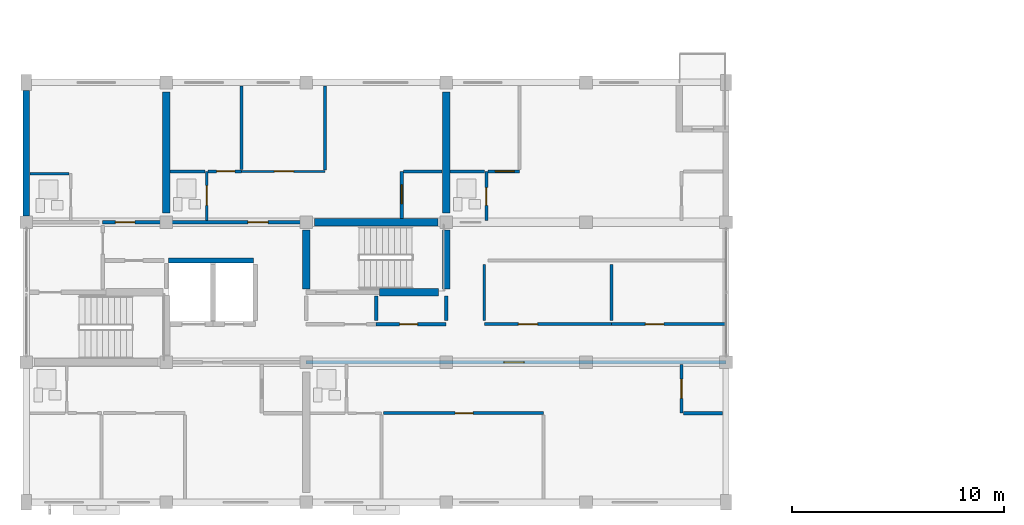
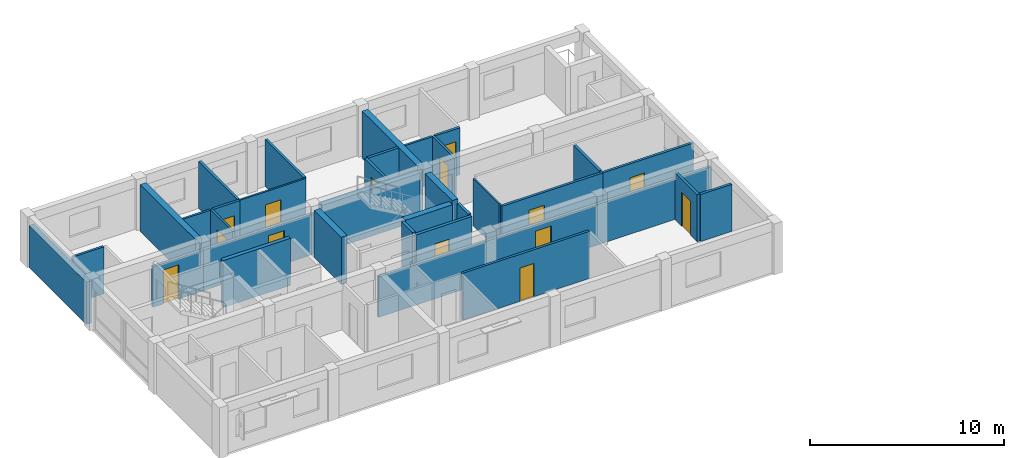
# One storey, part 34 of 52: 33 walls, 14 doors, 14 openings.
"""IFC4 building model written with IfcOpenShell, lengths in metres."""

from ifc_helpers import new_model, si_unit, direction, frame, frame_2d, origin, place, context, subcontext, project, spatial, rectangle, extrude, material, layer, layer_set, type_object, element, fill, save


model = new_model("IFC4")

# Units and contexts
model_context = context("Model", 3, precision=1e-05, world=origin(), true_north=direction((0.0, 1.0)))
body_context = subcontext(model_context, "Body", "Model", "MODEL_VIEW")
ifc_project = project(units=[si_unit("LENGTHUNIT", "METRE"), si_unit("AREAUNIT", "SQUARE_METRE"), si_unit("VOLUMEUNIT", "CUBIC_METRE"), si_unit("PLANEANGLEUNIT", "RADIAN"), si_unit("MASSUNIT", "GRAM", prefix="KILO")], contexts=[model_context])

# Site, building, storey
site_placement = place(None, origin())
site = spatial("IfcSite", under=ifc_project, at=site_placement, CompositionType="ELEMENT")
building_placement = place(site_placement, origin())
building = spatial("IfcBuilding", under=site, at=building_placement, Name="Kernevlak Ridge Housing Community", CompositionType="ELEMENT")
storey_placement = place(building_placement, frame((0.0, 0.0, 11.60009765625)))
storey = spatial("IfcBuildingStorey", under=building, at=storey_placement, Name="L03", CompositionType="ELEMENT", Elevation=11.60009765625)

# Walls
ifc_material_1 = material(Name="Concrete block masonry M10", Category="masonry")
ifc_layer_1 = layer(ifc_material_1, 0.300048828125, Name="Concrete block masonry M10")
ifc_layer_set_1 = layer_set([ifc_layer_1], Name="Concrete block masonry M10")
wall_type_1 = type_object("IfcWallType", Name="EW-01", PredefinedType="STANDARD", material=ifc_layer_set_1)
wall_1_placement = place(storey_placement, frame((15.60009765625, 89.5, 0.0), z_axis=(0.0, 0.0, 1.0), x_axis=(0.0, 1.0, 0.0)))
element("IfcWall", 1, at=wall_1_placement, inside=storey, type_object=wall_type_1, Name="Exterior wall EW-01 L03 58", PredefinedType="STANDARD", context=body_context, shape_type="SweptSolid", body=[
    extrude(rectangle(XDim=5.925048828125, YDim=0.300048828125, at=frame_2d((2.96240234375, 0.0))), origin(), (0.0, 0.0, 1.0), 2.64990234375),
])
ifc_material_2 = material(Name="Concrete C35/45", Category="concrete")
ifc_layer_2 = layer(ifc_material_2, 0.22509765625, Name="Concrete C35/45")
ifc_layer_set_2 = layer_set([ifc_layer_2], Name="Concrete C35/45")
wall_type_2 = type_object("IfcWallType", Name="PW-01", PredefinedType="STANDARD", material=ifc_layer_set_2)
wall_2_placement = place(storey_placement, frame((22.297607421875, 87.39990234375, 0.0), z_axis=(0.0, 0.0, 1.0), x_axis=(1.0, 0.0, 0.0)))
element("IfcWall", 2, at=wall_2_placement, inside=storey, type_object=wall_type_2, Name="Interior wall PW-01 WAL-INT-L03-0197", PredefinedType="STANDARD", context=body_context, shape_type="SweptSolid", body=[
    extrude(rectangle(XDim=4.0224609375, YDim=0.22509765625, at=frame_2d((2.01123046875, 0.0))), origin(), (0.0, 0.0, 1.0), 2.9599609375),
])

# Wall, opening, door
ifc_layer_3 = layer(ifc_material_1, 0.175048828125, Name="Concrete block masonry M10")
ifc_layer_set_3 = layer_set([ifc_layer_3], Name="Concrete block masonry M10")
wall_type_3 = type_object("IfcWallType", Name="PW-02", PredefinedType="PARTITIONING", material=ifc_layer_set_3)
wall_3_placement = place(storey_placement, frame((32.10009765625, 84.39990234375, 0.0), z_axis=(0.0, 0.0, 1.0), x_axis=(1.0, 0.0, 0.0)))
wall_3 = element("IfcWall", 3, at=wall_3_placement, inside=storey, type_object=wall_type_3, Name="Interior wall PW-02 WAL-INT-L03-0203", PredefinedType="PARTITIONING", context=body_context, shape_type="SweptSolid", body=[
    extrude(rectangle(XDim=3.2998046875, YDim=0.175048828125, at=frame_2d((1.64990234375, 0.0))), origin(), (0.0, 0.0, 1.0), 2.9599609375),
])
opening_1_placement = place(wall_3_placement, frame((1.10009765625, 0.0, 0.0)))
opening_1 = element("IfcOpeningElement", 4, at=opening_1_placement, cuts=wall_3, Name="Opening D101", PredefinedType="OPENING", context=body_context, shape_type="SweptSolid", body=[
    extrude(rectangle(XDim=0.85009765625, YDim=2.0, at=frame_2d((0.425048828125, 1.0))), frame((0.0, 0.097412109375, 0.0), z_axis=(0.0, -1.0, 0.0), x_axis=(1.0, 0.0, 0.0)), (0.0, 0.0, 1.0), 0.195068359375),
])
ifc_material_3 = material(Name="Fire-rated sheet steel leaf", Category="steel")
door_type_1 = type_object("IfcDoorType", Name="DT-07", OperationType="NOTDEFINED", PredefinedType="DOOR", material=ifc_material_3)
door_1_placement = place(opening_1_placement, origin())
door_1 = element("IfcDoor", 5, at=door_1_placement, inside=storey, type_object=door_type_1, Name="Block A Cleaner store door D101", OperationType="SINGLE_SWING_LEFT", OverallHeight=2.0, OverallWidth=0.85009765625, PredefinedType="DOOR", context=body_context, shape_type="SweptSolid", body=[
    extrude(rectangle(XDim=0.85009765625, YDim=2.0, at=frame_2d((0.425048828125, 1.0))), frame((0.0, 0.02490234375, 0.0), z_axis=(0.0, -1.0, 0.0), x_axis=(1.0, 0.0, 0.0)), (0.0, 0.0, 1.0), 0.050048828125),
])
fill(opening_1, door_1)

# Walls
for number, where, z_axis, x_axis, name in (
    (6, (32.10009765625, 84.580078125, 0.0), (0.0, 0.0, 1.0), (0.0, 1.0, 0.0), "Interior wall PW-02 WAL-INT-L03-0205"),
    (7, (35.39990234375, 84.580078125, 0.0), (0.0, 0.0, 1.0), (0.0, 1.0, 0.0), "Interior wall PW-02 WAL-INT-L03-0206"),
):
    element("IfcWall", number, at=place(storey_placement, frame(where, z_axis=z_axis, x_axis=x_axis)), inside=storey, type_object=wall_type_3, Name=name, PredefinedType="PARTITIONING", context=body_context, shape_type="SweptSolid", body=[
        extrude(rectangle(XDim=1.139892578125, YDim=0.175048828125, at=frame_2d((0.56982421875, 0.0))), origin(), (0.0, 0.0, 1.0), 2.9599609375),
    ])

# Wall, opening, door
wall_4_placement = place(storey_placement, frame((28.800048828125, 82.60009765625, 0.0), z_axis=(0.0, 0.0, 1.0), x_axis=(1.0, 0.0, 0.0)))
wall_4 = element("IfcWall", 8, at=wall_4_placement, inside=storey, type_object=wall_type_3, Name="Interior wall PW-02 WAL-INT-L03-0221", PredefinedType="PARTITIONING", context=body_context, shape_type="SweptSolid", body=[
    extrude(rectangle(XDim=19.800048828125, YDim=0.175048828125, at=frame_2d((9.89990234375, 0.0))), origin(), (0.0, 0.0, 1.0), 2.5498046875),
])
opening_2_placement = place(wall_4_placement, frame((9.324951171875, 0.0, 0.0)))
opening_2 = element("IfcOpeningElement", 9, at=opening_2_placement, cuts=wall_4, Name="Opening D109", PredefinedType="OPENING", context=body_context, shape_type="SweptSolid", body=[
    extrude(rectangle(XDim=0.949951171875, YDim=2.159912109375, at=frame_2d((0.47509765625, 1.080078125))), frame((0.0, 0.097412109375, 0.0), z_axis=(0.0, -1.0, 0.0), x_axis=(1.0, 0.0, 0.0)), (0.0, 0.0, 1.0), 0.195068359375),
])
ifc_material_4 = material(Name="Hardwood timber solid-core fire leaf", Category="wood")
door_type_2 = type_object("IfcDoorType", Name="DT-02", OperationType="NOTDEFINED", PredefinedType="DOOR", material=ifc_material_4)
door_2_placement = place(opening_2_placement, origin())
door_2 = element("IfcDoor", 10, at=door_2_placement, inside=storey, type_object=door_type_2, Name="Flat A0312 entrance fire door D109", OperationType="SINGLE_SWING_LEFT", OverallHeight=2.159912109375, OverallWidth=0.949951171875, PredefinedType="DOOR", context=body_context, shape_type="SweptSolid", body=[
    extrude(rectangle(XDim=0.949951171875, YDim=2.159912109375, at=frame_2d((0.47509765625, 1.080078125))), frame((0.0, 0.02490234375, 0.0), z_axis=(0.0, -1.0, 0.0), x_axis=(1.0, 0.0, 0.0)), (0.0, 0.0, 1.0), 0.050048828125),
])
fill(opening_2, door_2)

wall_5_placement = place(storey_placement, frame((19.199951171875, 89.199951171875, 0.0), z_axis=(0.0, 0.0, 1.0), x_axis=(1.0, 0.0, 0.0)))
wall_5 = element("IfcWall", 11, at=wall_5_placement, inside=storey, type_object=wall_type_3, Name="Interior wall PW-02 WAL-INT-L03-0231", PredefinedType="PARTITIONING", context=body_context, shape_type="SweptSolid", body=[
    extrude(rectangle(XDim=3.0, YDim=0.175048828125, at=frame_2d((1.5, 0.0))), origin(), (0.0, 0.0, 1.0), 2.5498046875),
])
opening_3_placement = place(wall_5_placement, frame((0.60009765625, 0.0, 0.0)))
opening_3 = element("IfcOpeningElement", 12, at=opening_3_placement, cuts=wall_5, Name="Opening D114", PredefinedType="OPENING", context=body_context, shape_type="SweptSolid", body=[
    extrude(rectangle(XDim=0.919921875, YDim=2.139892578125, at=frame_2d((0.4599609375, 1.06982421875))), frame((0.0, 0.097412109375, 0.0), z_axis=(0.0, -1.0, 0.0), x_axis=(1.0, 0.0, 0.0)), (0.0, 0.0, 1.0), 0.195068359375),
])
door_type_3 = type_object("IfcDoorType", Name="DT-20", OperationType="NOTDEFINED", PredefinedType="DOOR", material=ifc_material_4)
door_3_placement = place(opening_3_placement, origin())
door_3 = element("IfcDoor", 13, at=door_3_placement, inside=storey, type_object=door_type_3, Name="Flat A0321 entrance fire door D114", OperationType="SINGLE_SWING_RIGHT", OverallHeight=2.139892578125, OverallWidth=0.919921875, PredefinedType="DOOR", context=body_context, shape_type="SweptSolid", body=[
    extrude(rectangle(XDim=0.919921875, YDim=2.139892578125, at=frame_2d((0.4599609375, 1.06982421875))), frame((0.0, 0.02490234375, 0.0), z_axis=(0.0, -1.0, 0.0), x_axis=(1.0, 0.0, 0.0)), (0.0, 0.0, 1.0), 0.050048828125),
])
fill(opening_3, door_3)

wall_6_placement = place(storey_placement, frame((22.199951171875, 89.199951171875, 0.0), z_axis=(0.0, 0.0, 1.0), x_axis=(1.0, 0.0, 0.0)))
wall_6 = element("IfcWall", 14, at=wall_6_placement, inside=storey, type_object=wall_type_3, Name="Interior wall PW-02 WAL-INT-L03-0234", PredefinedType="PARTITIONING", context=body_context, shape_type="SweptSolid", body=[
    extrude(rectangle(XDim=6.60009765625, YDim=0.175048828125, at=frame_2d((3.300048828125, 0.0))), origin(), (0.0, 0.0, 1.0), 2.5498046875),
])
opening_4_placement = place(wall_6_placement, frame((3.85009765625, 0.0, 0.0)))
opening_4 = element("IfcOpeningElement", 15, at=opening_4_placement, cuts=wall_6, Name="Opening D116", PredefinedType="OPENING", context=body_context, shape_type="SweptSolid", body=[
    extrude(rectangle(XDim=0.949951171875, YDim=2.10009765625, at=frame_2d((0.47509765625, 1.050048828125))), frame((0.0, 0.097412109375, 0.0), z_axis=(0.0, -1.0, 0.0), x_axis=(1.0, 0.0, 0.0)), (0.0, 0.0, 1.0), 0.195068359375),
])
door_type_4 = type_object("IfcDoorType", Name="DT-01", OperationType="NOTDEFINED", PredefinedType="DOOR", material=ifc_material_4)
door_4_placement = place(opening_4_placement, origin())
door_4 = element("IfcDoor", 16, at=door_4_placement, inside=storey, type_object=door_type_4, Name="Flat A0322 entrance fire door D116", OperationType="SINGLE_SWING_RIGHT", OverallHeight=2.10009765625, OverallWidth=0.949951171875, PredefinedType="DOOR", context=body_context, shape_type="SweptSolid", body=[
    extrude(rectangle(XDim=0.949951171875, YDim=2.10009765625, at=frame_2d((0.47509765625, 1.050048828125))), frame((0.0, 0.02490234375, 0.0), z_axis=(0.0, -1.0, 0.0), x_axis=(1.0, 0.0, 0.0)), (0.0, 0.0, 1.0), 0.050048828125),
])
fill(opening_4, door_4)

ifc_layer_4 = layer(ifc_material_1, 0.14501953125, Name="Concrete block masonry M10")
ifc_layer_set_4 = layer_set([ifc_layer_4], Name="Concrete block masonry M10")
wall_type_4 = type_object("IfcWallType", Name="PW-03", PredefinedType="PARTITIONING", material=ifc_layer_set_4)
wall_7_placement = place(storey_placement, frame((37.199951171875, 84.39990234375, 0.0), z_axis=(0.0, 0.0, 1.0), x_axis=(1.0, 0.0, 0.0)))
wall_7 = element("IfcWall", 17, at=wall_7_placement, inside=storey, type_object=wall_type_4, Name="Interior wall PW-03 WAL-INT-L03-0207", PredefinedType="PARTITIONING", context=body_context, shape_type="SweptSolid", body=[
    extrude(rectangle(XDim=6.0, YDim=0.14501953125, at=frame_2d((3.0, 0.0))), origin(), (0.0, 0.0, 1.0), 2.9599609375),
])
opening_5_placement = place(wall_7_placement, frame((1.60009765625, 0.0, 0.0)))
opening_5 = element("IfcOpeningElement", 18, at=opening_5_placement, cuts=wall_7, Name="Opening D102", PredefinedType="OPENING", context=body_context, shape_type="SweptSolid", body=[
    extrude(rectangle(XDim=0.909912109375, YDim=2.139892578125, at=frame_2d((0.455078125, 1.06982421875))), frame((0.0, 0.08251953125, 0.0), z_axis=(0.0, -1.0, 0.0), x_axis=(1.0, 0.0, 0.0)), (0.0, 0.0, 1.0), 0.1650390625),
])
ifc_material_5 = material(Name="Hardwood timber leaf", Category="wood")
door_type_5 = type_object("IfcDoorType", Name="DT-31", OperationType="NOTDEFINED", PredefinedType="DOOR", material=ifc_material_5)
door_5_placement = place(opening_5_placement, origin())
door_5 = element("IfcDoor", 19, at=door_5_placement, inside=storey, type_object=door_type_5, Name="Block A Laundry room door D102", OperationType="SINGLE_SWING_RIGHT", OverallHeight=2.139892578125, OverallWidth=0.909912109375, PredefinedType="DOOR", context=body_context, shape_type="SweptSolid", body=[
    extrude(rectangle(XDim=0.909912109375, YDim=2.139892578125, at=frame_2d((0.455078125, 1.06982421875))), frame((0.0, 0.02490234375, 0.0), z_axis=(0.0, -1.0, 0.0), x_axis=(1.0, 0.0, 0.0)), (0.0, 0.0, 1.0), 0.050048828125),
])
fill(opening_5, door_5)

wall_8_placement = place(storey_placement, frame((43.199951171875, 84.39990234375, 0.0), z_axis=(0.0, 0.0, 1.0), x_axis=(1.0, 0.0, 0.0)))
wall_8 = element("IfcWall", 20, at=wall_8_placement, inside=storey, type_object=wall_type_4, Name="Interior wall PW-03 WAL-INT-L03-0208", PredefinedType="PARTITIONING", context=body_context, shape_type="SweptSolid", body=[
    extrude(rectangle(XDim=5.400146484375, YDim=0.14501953125, at=frame_2d((2.7001953125, 0.0))), origin(), (0.0, 0.0, 1.0), 2.9599609375),
])
opening_6_placement = place(wall_8_placement, frame((1.60009765625, 0.0, 0.0)))
opening_6 = element("IfcOpeningElement", 21, at=opening_6_placement, cuts=wall_8, Name="Opening D103", PredefinedType="OPENING", context=body_context, shape_type="SweptSolid", body=[
    extrude(rectangle(XDim=0.8701171875, YDim=2.080078125, at=frame_2d((0.43505859375, 1.0400390625))), frame((0.0, 0.08251953125, 0.0), z_axis=(0.0, -1.0, 0.0), x_axis=(1.0, 0.0, 0.0)), (0.0, 0.0, 1.0), 0.1650390625),
])
door_type_6 = type_object("IfcDoorType", Name="DT-32", OperationType="NOTDEFINED", PredefinedType="DOOR", material=ifc_material_5)
door_6_placement = place(opening_6_placement, origin())
door_6 = element("IfcDoor", 22, at=door_6_placement, inside=storey, type_object=door_type_6, Name="Block A Study room door D103", OperationType="SINGLE_SWING_LEFT", OverallHeight=2.080078125, OverallWidth=0.8701171875, PredefinedType="DOOR", context=body_context, shape_type="SweptSolid", body=[
    extrude(rectangle(XDim=0.8701171875, YDim=2.080078125, at=frame_2d((0.43505859375, 1.0400390625))), frame((0.0, 0.02490234375, 0.0), z_axis=(0.0, -1.0, 0.0), x_axis=(1.0, 0.0, 0.0)), (0.0, 0.0, 1.0), 0.050048828125),
])
fill(opening_6, door_6)

# Wall
wall_9_placement = place(storey_placement, frame((43.199951171875, 84.580078125, 0.0), z_axis=(0.0, 0.0, 1.0), x_axis=(0.0, 1.0, 0.0)))
element("IfcWall", 23, at=wall_9_placement, inside=storey, type_object=wall_type_4, Name="Interior wall PW-03 WAL-INT-L03-0209", PredefinedType="PARTITIONING", context=body_context, shape_type="SweptSolid", body=[
    extrude(rectangle(XDim=2.639892578125, YDim=0.14501953125, at=frame_2d((1.31982421875, 0.0))), origin(), (0.0, 0.0, 1.0), 2.9599609375),
])

# Wall, opening, door
wall_10_placement = place(storey_placement, frame((32.4326171875, 80.199951171875, 0.0), z_axis=(0.0, 0.0, 1.0), x_axis=(1.0, 0.0, 0.0)))
wall_10 = element("IfcWall", 24, at=wall_10_placement, inside=storey, type_object=wall_type_4, Name="Interior wall PW-03 WAL-INT-L03-0228", PredefinedType="PARTITIONING", context=body_context, shape_type="SweptSolid", body=[
    extrude(rectangle(XDim=7.555419921875, YDim=0.14501953125, at=frame_2d((3.77783203125, 0.0))), origin(), (0.0, 0.0, 1.0), 2.9599609375),
])
opening_7_placement = place(wall_10_placement, frame((3.39404296875, 0.0, 0.0)))
opening_7 = element("IfcOpeningElement", 25, at=opening_7_placement, cuts=wall_10, Name="Opening D113", PredefinedType="OPENING", context=body_context, shape_type="SweptSolid", body=[
    extrude(rectangle(XDim=0.85009765625, YDim=2.10009765625, at=frame_2d((0.425048828125, 1.050048828125))), frame((0.0, 0.08251953125, 0.0), z_axis=(0.0, -1.0, 0.0), x_axis=(1.0, 0.0, 0.0)), (0.0, 0.0, 1.0), 0.1650390625),
])
door_type_7 = type_object("IfcDoorType", Name="DT-03", OperationType="NOTDEFINED", PredefinedType="DOOR", material=ifc_material_5)
door_7_placement = place(opening_7_placement, origin())
door_7 = element("IfcDoor", 26, at=door_7_placement, inside=storey, type_object=door_type_7, Name="Flat A0312 bedroom door D113", OperationType="SINGLE_SWING_LEFT", OverallHeight=2.10009765625, OverallWidth=0.85009765625, PredefinedType="DOOR", context=body_context, shape_type="SweptSolid", body=[
    extrude(rectangle(XDim=0.85009765625, YDim=2.10009765625, at=frame_2d((0.425048828125, 1.050048828125))), frame((0.0, 0.02490234375, 0.0), z_axis=(0.0, -1.0, 0.0), x_axis=(1.0, 0.0, 0.0)), (0.0, 0.0, 1.0), 0.050048828125),
])
fill(opening_7, door_7)

wall_11_placement = place(storey_placement, frame((24.172607421875, 91.60009765625, 0.0), z_axis=(0.0, 0.0, 1.0), x_axis=(1.0, 0.0, 0.0)))
wall_11 = element("IfcWall", 27, at=wall_11_placement, inside=storey, type_object=wall_type_4, Name="Interior wall PW-03 WAL-INT-L03-0239", PredefinedType="PARTITIONING", context=body_context, shape_type="SweptSolid", body=[
    extrude(rectangle(XDim=1.577392578125, YDim=0.14501953125, at=frame_2d((0.78857421875, 0.0))), origin(), (0.0, 0.0, 1.0), 2.9599609375),
])
opening_8_placement = place(wall_11_placement, frame((0.39990234375, 0.0, 0.0)))
opening_8 = element("IfcOpeningElement", 28, at=opening_8_placement, cuts=wall_11, Name="Opening D119", PredefinedType="OPENING", context=body_context, shape_type="SweptSolid", body=[
    extrude(rectangle(XDim=0.860107421875, YDim=2.1201171875, at=frame_2d((0.43017578125, 1.06005859375))), frame((0.0, 0.08251953125, 0.0), z_axis=(0.0, -1.0, 0.0), x_axis=(1.0, 0.0, 0.0)), (0.0, 0.0, 1.0), 0.1650390625),
])
door_type_8 = type_object("IfcDoorType", Name="DT-28", OperationType="NOTDEFINED", PredefinedType="DOOR", material=ifc_material_5)
door_8_placement = place(opening_8_placement, origin())
door_8 = element("IfcDoor", 29, at=door_8_placement, inside=storey, type_object=door_type_8, Name="Flat A0322 bedroom door D119", OperationType="SINGLE_SWING_LEFT", OverallHeight=2.1201171875, OverallWidth=0.860107421875, PredefinedType="DOOR", context=body_context, shape_type="SweptSolid", body=[
    extrude(rectangle(XDim=0.860107421875, YDim=2.1201171875, at=frame_2d((0.43017578125, 1.06005859375))), frame((0.0, 0.02490234375, 0.0), z_axis=(0.0, -1.0, 0.0), x_axis=(1.0, 0.0, 0.0)), (0.0, 0.0, 1.0), 0.050048828125),
])
fill(opening_8, door_8)

# Walls
wall_12_placement = place(storey_placement, frame((25.75, 91.6826171875, 0.0), z_axis=(0.0, 0.0, 1.0), x_axis=(0.0, 1.0, 0.0)))
element("IfcWall", 30, at=wall_12_placement, inside=storey, type_object=wall_type_4, Name="Interior wall PW-03 WAL-INT-L03-0240", PredefinedType="PARTITIONING", context=body_context, shape_type="SweptSolid", body=[
    extrude(rectangle(XDim=3.957275390625, YDim=0.14501953125, at=frame_2d((1.978515625, 0.0))), origin(), (0.0, 0.0, 1.0), 2.9599609375),
])
wall_13_placement = place(storey_placement, frame((29.69189453125, 91.679931640625, 0.0), z_axis=(0.0, 0.0, 1.0), x_axis=(0.0, 1.0, 0.0)))
element("IfcWall", 31, at=wall_13_placement, inside=storey, type_object=wall_type_4, Name="Interior wall PW-03 WAL-INT-L03-0242", PredefinedType="PARTITIONING", context=body_context, shape_type="SweptSolid", body=[
    extrude(rectangle(XDim=3.9599609375, YDim=0.14501953125, at=frame_2d((1.97998046875, 0.0))), origin(), (0.0, 0.0, 1.0), 2.9599609375),
])

# Wall, opening, door
wall_14_placement = place(storey_placement, frame((37.37255859375, 91.60009765625, 0.0), z_axis=(0.0, 0.0, 1.0), x_axis=(1.0, 0.0, 0.0)))
wall_14 = element("IfcWall", 32, at=wall_14_placement, inside=storey, type_object=wall_type_4, Name="Interior wall PW-03 WAL-INT-L03-0248", PredefinedType="PARTITIONING", context=body_context, shape_type="SweptSolid", body=[
    extrude(rectangle(XDim=1.4775390625, YDim=0.14501953125, at=frame_2d((0.73876953125, 0.0))), origin(), (0.0, 0.0, 1.0), 2.9599609375),
])
opening_9_placement = place(wall_14_placement, frame((0.35009765625, 0.0, 0.0)))
opening_9 = element("IfcOpeningElement", 33, at=opening_9_placement, cuts=wall_14, Name="Opening D124", PredefinedType="OPENING", context=body_context, shape_type="SweptSolid", body=[
    extrude(rectangle(XDim=0.89990234375, YDim=2.159912109375, at=frame_2d((0.449951171875, 1.080078125))), frame((0.0, 0.08251953125, 0.0), z_axis=(0.0, -1.0, 0.0), x_axis=(1.0, 0.0, 0.0)), (0.0, 0.0, 1.0), 0.1650390625),
])
door_type_9 = type_object("IfcDoorType", Name="DT-22", OperationType="NOTDEFINED", PredefinedType="DOOR", material=ifc_material_5)
door_9_placement = place(opening_9_placement, origin())
door_9 = element("IfcDoor", 34, at=door_9_placement, inside=storey, type_object=door_type_9, Name="Flat A0323 bedroom door D124", OperationType="SINGLE_SWING_RIGHT", OverallHeight=2.159912109375, OverallWidth=0.89990234375, PredefinedType="DOOR", context=body_context, shape_type="SweptSolid", body=[
    extrude(rectangle(XDim=0.89990234375, YDim=2.159912109375, at=frame_2d((0.449951171875, 1.080078125))), frame((0.0, 0.02490234375, 0.0), z_axis=(0.0, -1.0, 0.0), x_axis=(1.0, 0.0, 0.0)), (0.0, 0.0, 1.0), 0.050048828125),
])
fill(opening_9, door_9)

# Wall
ifc_material_6 = material(Name="Gypsum plasterboard EN 520", Category="gypsum")
ifc_layer_5 = layer(ifc_material_6, 0.125, Name="Gypsum plasterboard EN 520")
ifc_layer_set_5 = layer_set([ifc_layer_5], Name="Gypsum plasterboard EN 520")
wall_type_5 = type_object("IfcWallType", Name="PW-04", PredefinedType="PARTITIONING", material=ifc_layer_set_5)
wall_15_placement = place(storey_placement, frame((15.760009765625, 91.5, 0.0), z_axis=(0.0, 0.0, 1.0), x_axis=(1.0, 0.0, 0.0)))
element("IfcWall", 35, at=wall_15_placement, inside=storey, type_object=wall_type_5, Name="Interior wall PW-04 WAL-INT-L03-0233", PredefinedType="PARTITIONING", context=body_context, shape_type="SweptSolid", body=[
    extrude(rectangle(XDim=1.860107421875, YDim=0.125, at=frame_2d((0.93017578125, 0.0))), origin(), (0.0, 0.0, 1.0), 2.9599609375),
])

# Wall, opening, door
wall_16_placement = place(storey_placement, frame((24.10009765625, 89.297607421875, 0.0), z_axis=(0.0, 0.0, 1.0), x_axis=(0.0, 1.0, 0.0)))
wall_16 = element("IfcWall", 36, at=wall_16_placement, inside=storey, type_object=wall_type_5, Name="Interior wall PW-04 WAL-INT-L03-0235", PredefinedType="PARTITIONING", context=body_context, shape_type="SweptSolid", body=[
    extrude(rectangle(XDim=2.302490234375, YDim=0.125, at=frame_2d((1.1513671875, 0.0))), origin(), (0.0, 0.0, 1.0), 2.9599609375),
])
opening_10_placement = place(wall_16_placement, frame((0.699951171875, 0.0, 0.0)))
opening_10 = element("IfcOpeningElement", 37, at=opening_10_placement, cuts=wall_16, Name="Opening D117", PredefinedType="OPENING", context=body_context, shape_type="SweptSolid", body=[
    extrude(rectangle(XDim=0.93994140625, YDim=2.080078125, at=frame_2d((0.469970703125, 1.0400390625))), frame((0.0, 0.072509765625, 0.0), z_axis=(0.0, -1.0, 0.0), x_axis=(1.0, 0.0, 0.0)), (0.0, 0.0, 1.0), 0.14501953125),
])
ifc_material_7 = material(Name="Hardwood timber moisture-resistant leaf", Category="wood")
door_type_10 = type_object("IfcDoorType", Name="DT-23", OperationType="NOTDEFINED", PredefinedType="DOOR", material=ifc_material_7)
door_10_placement = place(opening_10_placement, origin())
door_10 = element("IfcDoor", 38, at=door_10_placement, inside=storey, type_object=door_type_10, Name="Flat A0322 bathroom door D117", OperationType="SINGLE_SWING_LEFT", OverallHeight=2.080078125, OverallWidth=0.93994140625, PredefinedType="DOOR", context=body_context, shape_type="SweptSolid", body=[
    extrude(rectangle(XDim=0.93994140625, YDim=2.080078125, at=frame_2d((0.469970703125, 1.0400390625))), frame((0.0, 0.02490234375, 0.0), z_axis=(0.0, -1.0, 0.0), x_axis=(1.0, 0.0, 0.0)), (0.0, 0.0, 1.0), 0.050048828125),
])
fill(opening_10, door_10)

# Wall
wall_17_placement = place(storey_placement, frame((22.385009765625, 91.60009765625, 0.0), z_axis=(0.0, 0.0, 1.0), x_axis=(1.0, 0.0, 0.0)))
element("IfcWall", 39, at=wall_17_placement, inside=storey, type_object=wall_type_5, Name="Interior wall PW-04 WAL-INT-L03-0236", PredefinedType="PARTITIONING", context=body_context, shape_type="SweptSolid", body=[
    extrude(rectangle(XDim=1.635009765625, YDim=0.125, at=frame_2d((0.8173828125, 0.0))), origin(), (0.0, 0.0, 1.0), 2.9599609375),
])

# Wall, opening, door
wall_18_placement = place(storey_placement, frame((37.300048828125, 89.297607421875, 0.0), z_axis=(0.0, 0.0, 1.0), x_axis=(0.0, 1.0, 0.0)))
wall_18 = element("IfcWall", 40, at=wall_18_placement, inside=storey, type_object=wall_type_5, Name="Interior wall PW-04 WAL-INT-L03-0244", PredefinedType="PARTITIONING", context=body_context, shape_type="SweptSolid", body=[
    extrude(rectangle(XDim=2.302490234375, YDim=0.125, at=frame_2d((1.1513671875, 0.0))), origin(), (0.0, 0.0, 1.0), 2.9599609375),
])
opening_11_placement = place(wall_18_placement, frame((0.699951171875, 0.0, 0.0)))
opening_11 = element("IfcOpeningElement", 41, at=opening_11_placement, cuts=wall_18, Name="Opening D122", PredefinedType="OPENING", context=body_context, shape_type="SweptSolid", body=[
    extrude(rectangle(XDim=0.840087890625, YDim=2.06005859375, at=frame_2d((0.419921875, 1.030029296875))), frame((0.0, 0.072509765625, 0.0), z_axis=(0.0, -1.0, 0.0), x_axis=(1.0, 0.0, 0.0)), (0.0, 0.0, 1.0), 0.14501953125),
])
door_type_11 = type_object("IfcDoorType", Name="DT-27", OperationType="NOTDEFINED", PredefinedType="DOOR", material=ifc_material_7)
door_11_placement = place(opening_11_placement, origin())
door_11 = element("IfcDoor", 42, at=door_11_placement, inside=storey, type_object=door_type_11, Name="Flat A0323 bathroom door D122", OperationType="SINGLE_SWING_RIGHT", OverallHeight=2.06005859375, OverallWidth=0.840087890625, PredefinedType="DOOR", context=body_context, shape_type="SweptSolid", body=[
    extrude(rectangle(XDim=0.840087890625, YDim=2.06005859375, at=frame_2d((0.419921875, 1.030029296875))), frame((0.0, 0.02490234375, 0.0), z_axis=(0.0, -1.0, 0.0), x_axis=(1.0, 0.0, 0.0)), (0.0, 0.0, 1.0), 0.050048828125),
])
fill(opening_11, door_11)

# Wall
wall_19_placement = place(storey_placement, frame((35.5849609375, 91.60009765625, 0.0), z_axis=(0.0, 0.0, 1.0), x_axis=(1.0, 0.0, 0.0)))
element("IfcWall", 43, at=wall_19_placement, inside=storey, type_object=wall_type_5, Name="Interior wall PW-04 WAL-INT-L03-0245", PredefinedType="PARTITIONING", context=body_context, shape_type="SweptSolid", body=[
    extrude(rectangle(XDim=1.635009765625, YDim=0.125, at=frame_2d((0.8173828125, 0.0))), origin(), (0.0, 0.0, 1.0), 2.9599609375),
])

# Wall, opening, door
ifc_layer_6 = layer(ifc_material_6, 0.155029296875, Name="Gypsum plasterboard EN 520")
ifc_layer_set_6 = layer_set([ifc_layer_6], Name="Gypsum plasterboard EN 520")
wall_type_6 = type_object("IfcWallType", Name="PW-05", PredefinedType="PARTITIONING", material=ifc_layer_set_6)
wall_20_placement = place(storey_placement, frame((46.5, 82.50244140625, 0.0), z_axis=(0.0, 0.0, 1.0), x_axis=(0.0, -1.0, 0.0)))
wall_20 = element("IfcWall", 44, at=wall_20_placement, inside=storey, type_object=wall_type_6, Name="Interior wall PW-05 WAL-INT-L03-0224", PredefinedType="PARTITIONING", context=body_context, shape_type="SweptSolid", body=[
    extrude(rectangle(XDim=2.302490234375, YDim=0.155029296875, at=frame_2d((1.1513671875, 0.0))), origin(), (0.0, 0.0, 1.0), 2.9599609375),
])
opening_12_placement = place(wall_20_placement, frame((0.699951171875, 0.0, 0.0)))
opening_12 = element("IfcOpeningElement", 45, at=opening_12_placement, cuts=wall_20, Name="Opening D111", PredefinedType="OPENING", context=body_context, shape_type="SweptSolid", body=[
    extrude(rectangle(XDim=0.909912109375, YDim=2.139892578125, at=frame_2d((0.455078125, 1.06982421875))), frame((0.0, 0.08740234375, 0.0), z_axis=(0.0, -1.0, 0.0), x_axis=(1.0, 0.0, 0.0)), (0.0, 0.0, 1.0), 0.175048828125),
])
door_12_placement = place(opening_12_placement, origin())
door_12 = element("IfcDoor", 46, at=door_12_placement, inside=storey, type_object=door_type_5, Name="Flat A0312 kitchen door D111", OperationType="SINGLE_SWING_LEFT", OverallHeight=2.139892578125, OverallWidth=0.909912109375, PredefinedType="DOOR", context=body_context, shape_type="SweptSolid", body=[
    extrude(rectangle(XDim=0.909912109375, YDim=2.139892578125, at=frame_2d((0.455078125, 1.06982421875))), frame((0.0, 0.02490234375, 0.0), z_axis=(0.0, -1.0, 0.0), x_axis=(1.0, 0.0, 0.0)), (0.0, 0.0, 1.0), 0.050048828125),
])
fill(opening_12, door_12)

# Wall
wall_21_placement = place(storey_placement, frame((46.58740234375, 80.199951171875, 0.0), z_axis=(0.0, 0.0, 1.0), x_axis=(1.0, 0.0, 0.0)))
element("IfcWall", 47, at=wall_21_placement, inside=storey, type_object=wall_type_6, Name="Interior wall PW-05 WAL-INT-L03-0225", PredefinedType="PARTITIONING", context=body_context, shape_type="SweptSolid", body=[
    extrude(rectangle(XDim=1.8525390625, YDim=0.155029296875, at=frame_2d((0.92626953125, 0.0))), origin(), (0.0, 0.0, 1.0), 2.9599609375),
])

# Wall, opening, door
wall_22_placement = place(storey_placement, frame((33.300048828125, 89.385009765625, 0.0), z_axis=(0.0, 0.0, 1.0), x_axis=(0.0, 1.0, 0.0)))
wall_22 = element("IfcWall", 48, at=wall_22_placement, inside=storey, type_object=wall_type_6, Name="Interior wall PW-05 WAL-INT-L03-0237", PredefinedType="PARTITIONING", context=body_context, shape_type="SweptSolid", body=[
    extrude(rectangle(XDim=2.215087890625, YDim=0.155029296875, at=frame_2d((1.107421875, 0.0))), origin(), (0.0, 0.0, 1.0), 2.9599609375),
])
opening_13_placement = place(wall_22_placement, frame((0.699951171875, 0.0, 0.0)))
opening_13 = element("IfcOpeningElement", 49, at=opening_13_placement, cuts=wall_22, Name="Opening D118", PredefinedType="OPENING", context=body_context, shape_type="SweptSolid", body=[
    extrude(rectangle(XDim=0.8798828125, YDim=2.159912109375, at=frame_2d((0.43994140625, 1.080078125))), frame((0.0, 0.08740234375, 0.0), z_axis=(0.0, -1.0, 0.0), x_axis=(1.0, 0.0, 0.0)), (0.0, 0.0, 1.0), 0.175048828125),
])
door_type_12 = type_object("IfcDoorType", Name="DT-26", OperationType="NOTDEFINED", PredefinedType="DOOR", material=ifc_material_5)
door_13_placement = place(opening_13_placement, origin())
door_13 = element("IfcDoor", 50, at=door_13_placement, inside=storey, type_object=door_type_12, Name="Flat A0322 kitchen door D118", OperationType="SINGLE_SWING_RIGHT", OverallHeight=2.159912109375, OverallWidth=0.8798828125, PredefinedType="DOOR", context=body_context, shape_type="SweptSolid", body=[
    extrude(rectangle(XDim=0.8798828125, YDim=2.159912109375, at=frame_2d((0.43994140625, 1.080078125))), frame((0.0, 0.02490234375, 0.0), z_axis=(0.0, -1.0, 0.0), x_axis=(1.0, 0.0, 0.0)), (0.0, 0.0, 1.0), 0.050048828125),
])
fill(opening_13, door_13)

# Walls
wall_23_placement = place(storey_placement, frame((33.387451171875, 91.60009765625, 0.0), z_axis=(0.0, 0.0, 1.0), x_axis=(1.0, 0.0, 0.0)))
element("IfcWall", 51, at=wall_23_placement, inside=storey, type_object=wall_type_6, Name="Interior wall PW-05 WAL-INT-L03-0238", PredefinedType="PARTITIONING", context=body_context, shape_type="SweptSolid", body=[
    extrude(rectangle(XDim=1.82763671875, YDim=0.155029296875, at=frame_2d((0.913818359375, 0.0))), origin(), (0.0, 0.0, 1.0), 2.9599609375),
])
ifc_layer_7 = layer(ifc_material_6, 0.10498046875, Name="Gypsum plasterboard EN 520")
ifc_layer_set_7 = layer_set([ifc_layer_7], Name="Gypsum plasterboard EN 520")
wall_type_7 = type_object("IfcWallType", Name="PW-06", PredefinedType="PARTITIONING", material=ifc_layer_set_7)
wall_24_placement = place(storey_placement, frame((37.199951171875, 84.580078125, 0.0), z_axis=(0.0, 0.0, 1.0), x_axis=(0.0, 1.0, 0.0)))
element("IfcWall", 52, at=wall_24_placement, inside=storey, type_object=wall_type_7, Name="Interior wall PW-06 WAL-INT-L03-0211", PredefinedType="PARTITIONING", context=body_context, shape_type="SweptSolid", body=[
    extrude(rectangle(XDim=2.639892578125, YDim=0.10498046875, at=frame_2d((1.31982421875, 0.0))), origin(), (0.0, 0.0, 1.0), 2.9599609375),
])

# Wall, opening, door
wall_25_placement = place(storey_placement, frame((25.75, 91.60009765625, 0.0), z_axis=(0.0, 0.0, 1.0), x_axis=(1.0, 0.0, 0.0)))
wall_25 = element("IfcWall", 53, at=wall_25_placement, inside=storey, type_object=wall_type_7, Name="Interior wall PW-06 WAL-INT-L03-0241", PredefinedType="PARTITIONING", context=body_context, shape_type="SweptSolid", body=[
    extrude(rectangle(XDim=3.94189453125, YDim=0.10498046875, at=frame_2d((1.970947265625, 0.0))), origin(), (0.0, 0.0, 1.0), 2.9599609375),
])
opening_14_placement = place(wall_25_placement, frame((1.5458984375, 0.0, 0.0)))
opening_14 = element("IfcOpeningElement", 54, at=opening_14_placement, cuts=wall_25, Name="Opening D120", PredefinedType="OPENING", context=body_context, shape_type="SweptSolid", body=[
    extrude(rectangle(XDim=0.909912109375, YDim=2.139892578125, at=frame_2d((0.455078125, 1.06982421875))), frame((0.0, 0.0625, 0.0), z_axis=(0.0, -1.0, 0.0), x_axis=(1.0, 0.0, 0.0)), (0.0, 0.0, 1.0), 0.125),
])
door_14_placement = place(opening_14_placement, origin())
door_14 = element("IfcDoor", 55, at=door_14_placement, inside=storey, type_object=door_type_5, Name="Flat A0322 bedroom door D120", OperationType="SINGLE_SWING_RIGHT", OverallHeight=2.139892578125, OverallWidth=0.909912109375, PredefinedType="DOOR", context=body_context, shape_type="SweptSolid", body=[
    extrude(rectangle(XDim=0.909912109375, YDim=2.139892578125, at=frame_2d((0.455078125, 1.06982421875))), frame((0.0, 0.02490234375, 0.0), z_axis=(0.0, -1.0, 0.0), x_axis=(1.0, 0.0, 0.0)), (0.0, 0.0, 1.0), 0.050048828125),
])
fill(opening_14, door_14)

# Walls
ifc_material_8 = material(Name="Concrete C40/50", Category="concrete")
ifc_layer_8 = layer(ifc_material_8, 0.35009765625, Name="Concrete C40/50")
ifc_layer_set_8 = layer_set([ifc_layer_8], Name="Concrete C40/50")
wall_type_8 = type_object("IfcWallType", Name="SW-01", PredefinedType="SHEAR", material=ifc_layer_set_8)
wall_26_placement = place(storey_placement, frame((29.179931640625, 89.199951171875, 0.0), z_axis=(0.0, 0.0, 1.0), x_axis=(1.0, 0.0, 0.0)))
element("IfcWall", 56, at=wall_26_placement, inside=storey, type_object=wall_type_8, Name="Shear wall SW-01 Block A L03 44", PredefinedType="SHEAR", context=body_context, shape_type="SweptSolid", body=[
    extrude(rectangle(XDim=5.840087890625, YDim=0.35009765625, at=frame_2d((2.919921875, 0.0))), origin(), (0.0, 0.0, 1.0), 2.9599609375),
])
for number, where, z_axis, x_axis, name in (
    (57, (32.25, 85.89990234375, 0.0), (0.0, 0.0, 1.0), (1.0, 0.0, 0.0), "Shear wall SW-01 Block A L03 45"),
    (58, (28.800048828125, 86.050048828125, 0.0), (0.0, 0.0, 1.0), (0.0, 1.0, 0.0), "Shear wall SW-01 Block A L03 46"),
    (59, (35.39990234375, 86.050048828125, 0.0), (0.0, 0.0, 1.0), (0.0, 1.0, 0.0), "Shear wall SW-01 Block A L03 47"),
):
    element("IfcWall", number, at=place(storey_placement, frame(where, z_axis=z_axis, x_axis=x_axis)), inside=storey, type_object=wall_type_8, Name=name, PredefinedType="SHEAR", context=body_context, shape_type="SweptSolid", body=[
        extrude(rectangle(XDim=2.800048828125, YDim=0.35009765625, at=frame_2d((1.39990234375, 0.0))), origin(), (0.0, 0.0, 1.0), 2.9599609375),
    ])
for number, where, z_axis, x_axis, name in (
    (60, (22.199951171875, 89.64990234375, 0.0), (0.0, 0.0, 1.0), (0.0, 1.0, 0.0), "Shear wall SW-01 Block A L03 49"),
    (61, (35.39990234375, 89.64990234375, 0.0), (0.0, 0.0, 1.0), (0.0, 1.0, 0.0), "Shear wall SW-01 Block A L03 50"),
):
    element("IfcWall", number, at=place(storey_placement, frame(where, z_axis=z_axis, x_axis=x_axis)), inside=storey, type_object=wall_type_8, Name=name, PredefinedType="SHEAR", context=body_context, shape_type="SweptSolid", body=[
        extrude(rectangle(XDim=5.7001953125, YDim=0.35009765625, at=frame_2d((2.85009765625, 0.0))), origin(), (0.0, 0.0, 1.0), 2.9599609375),
    ])

save(model, "model.ifc")
